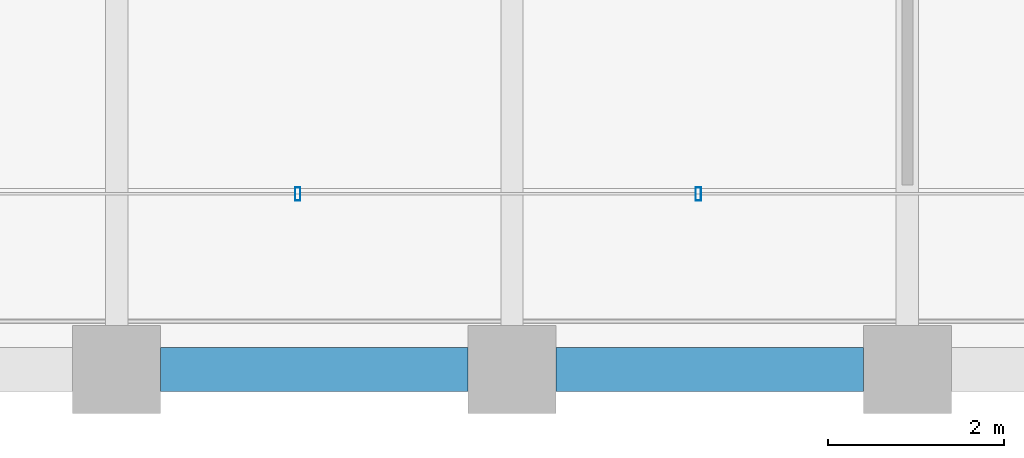
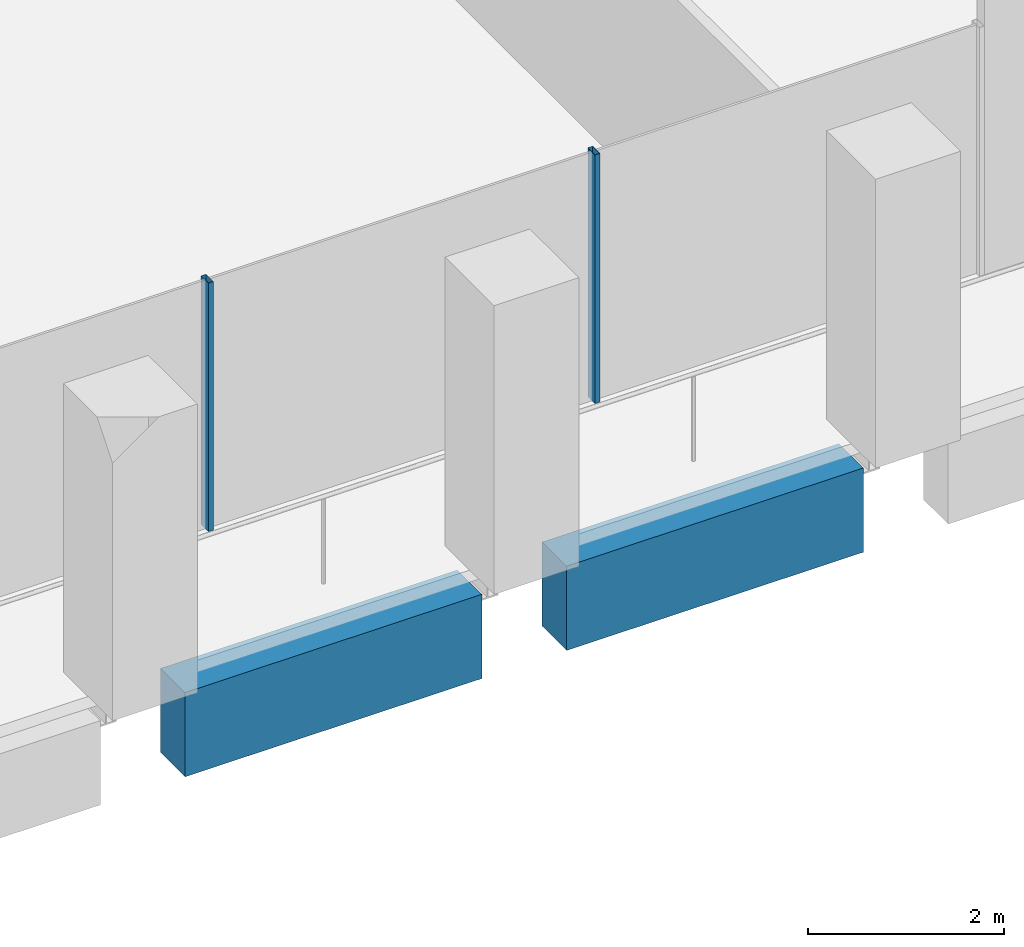
# One storey, part 3 of 46: 2 beams, 2 members, 1 element without a shape of its own.
"""IFC4 building model written with IfcOpenShell, lengths in metres."""

from ifc_helpers import new_model, si_unit, direction, frame, origin, origin_2d, place, context, subcontext, project, spatial, rectangle, hollow_rectangle, extrude, material, material_profile, profile_set, type_object, element, aggregate, save


model = new_model("IFC4")

# Units and contexts
model_context = context("Model", 3, precision=1e-05, world=origin(), true_north=direction((0.0, 1.0)))
body_context = subcontext(model_context, "Body", "Model", "MODEL_VIEW")
ifc_project = project(units=[si_unit("LENGTHUNIT", "METRE"), si_unit("AREAUNIT", "SQUARE_METRE"), si_unit("VOLUMEUNIT", "CUBIC_METRE"), si_unit("PLANEANGLEUNIT", "RADIAN"), si_unit("MASSUNIT", "GRAM", prefix="KILO")], contexts=[model_context])

# Site, building, storey
site_placement = place(None, origin())
site = spatial("IfcSite", under=ifc_project, at=site_placement, CompositionType="ELEMENT")
building_placement = place(site_placement, origin())
building = spatial("IfcBuilding", under=site, at=building_placement, Name="Altepetl Exchange Towers", CompositionType="ELEMENT")
storey_placement = place(building_placement, frame((0.0, 0.0, 120.800048828125)))
storey = spatial("IfcBuildingStorey", under=building, at=storey_placement, Name="L29", CompositionType="ELEMENT", Elevation=120.800048828125)

# Curtain wall, members
ifc_material_1 = material(Name="Aluminium 6063-T6 glazing", Category="aluminium")
curtain_wall_type = type_object("IfcCurtainWallType", Name="Loggia glazing system", PredefinedType="NOTDEFINED", material=ifc_material_1)
curtain_wall_placement = place(storey_placement, origin())
curtain_wall = element("IfcCurtainWall", 1, at=curtain_wall_placement, inside=storey, type_object=curtain_wall_type, Name="CW1 run", PredefinedType="NOTDEFINED")
ifc_material_2 = material(Name="Aluminium 6063-T6", Category="aluminium")
ifc_material_profile_1 = material_profile(ifc_material_2, hollow_rectangle(XDim=0.06005859375, YDim=0.14990234375, WallThickness=0.0029296875, at=origin_2d()), Name="Mullion 60x150 aluminium")
ifc_profile_set_1 = profile_set([ifc_material_profile_1], Name="Aluminium 6063-T6")
member_type = type_object("IfcMemberType", Name="Mullion 60x150 aluminium", PredefinedType="MULLION", material=ifc_profile_set_1)
member_1_placement = place(storey_placement, frame((38.060791015625, 29.0, 0.0)))
member_1 = element("IfcMember", 2, at=member_1_placement, type_object=member_type, Name="MU1 mullion", PredefinedType="MULLION", context=body_context, shape_type="SweptSolid", body=[
    extrude(hollow_rectangle(XDim=0.06005859375, YDim=0.14990234375, WallThickness=0.0029296875, at=origin_2d()), origin(), (0.0, 0.0, 1.0), 3.099853515625),
])
member_2_placement = place(storey_placement, frame((42.621337890625, 29.0, 0.0)))
member_2 = element("IfcMember", 3, at=member_2_placement, type_object=member_type, Name="MU1 mullion", PredefinedType="MULLION", context=body_context, shape_type="SweptSolid", body=[
    extrude(hollow_rectangle(XDim=0.06005859375, YDim=0.14990234375, WallThickness=0.0029296875, at=origin_2d()), origin(), (0.0, 0.0, 1.0), 3.099853515625),
])
aggregate(curtain_wall, [member_1, member_2])

# Beams
ifc_material_3 = material(Name="Concrete C50/60 precast with cantera blanca facing", Category="concrete")
ifc_material_profile_2 = material_profile(ifc_material_3, rectangle(XDim=0.5, YDim=1.050048828125, at=origin_2d()), Name="500 x 1050")
ifc_profile_set_2 = profile_set([ifc_material_profile_2], Name="Concrete C50/60 precast with cantera blanca facing")
beam_type = type_object("IfcBeamType", Name="Spandrel beam 500x1050 cantera blanca", PredefinedType="SPANDREL", material=ifc_profile_set_2)
for number, where, z_axis, x_axis, name in (
    (4, (36.5, 27.0, -0.675048828125), (1.0, 0.0, 0.0), (0.0, 1.0, 0.0), "sp:A:L29:001"),
    (5, (41.0, 27.0, -0.675048828125), (1.0, 0.0, 0.0), (0.0, 1.0, 0.0), "sp:A:L29:002"),
):
    element("IfcBeam", number, at=place(storey_placement, frame(where, z_axis=z_axis, x_axis=x_axis)), inside=storey, type_object=beam_type, Name=name, PredefinedType="SPANDREL", context=body_context, shape_type="SweptSolid", body=[
        extrude(rectangle(XDim=0.5, YDim=1.050048828125, at=origin_2d()), origin(), (0.0, 0.0, 1.0), 3.5),
    ])

save(model, "model.ifc")
